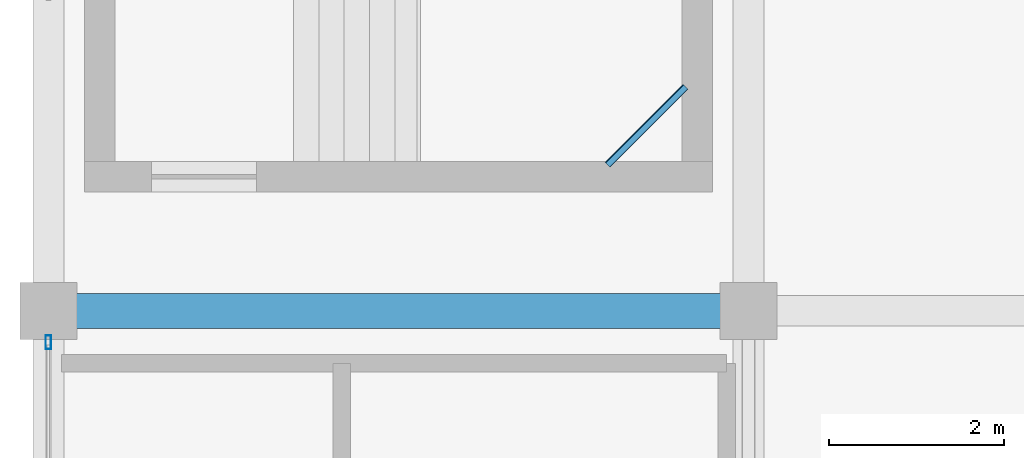
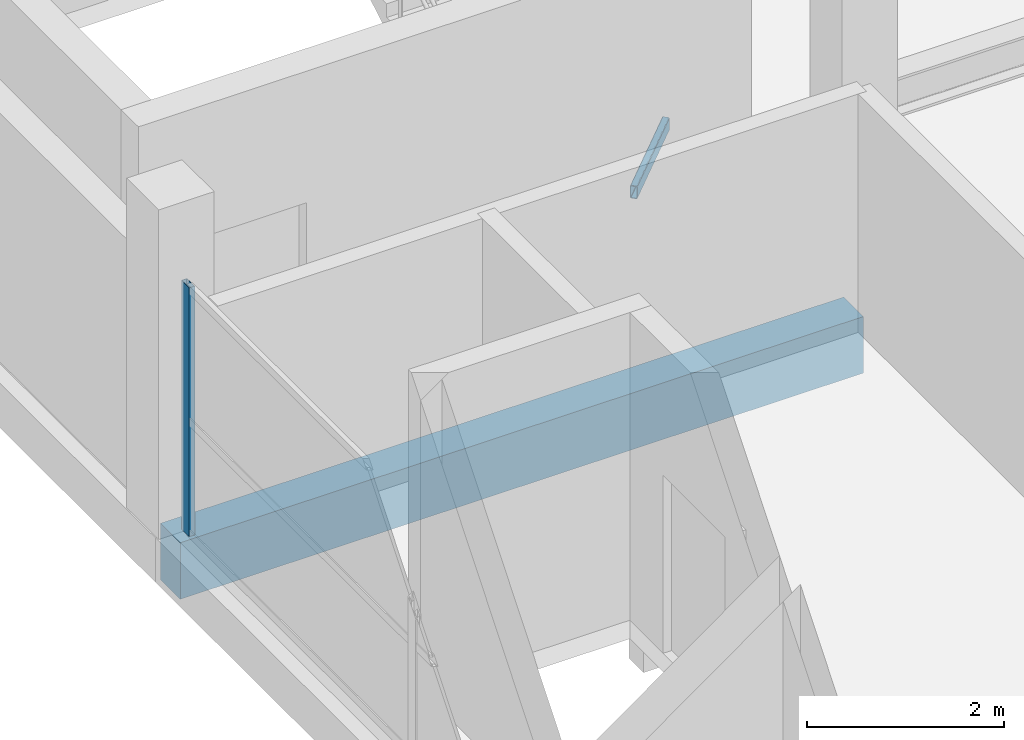
# One storey, part 31 of 70: 2 beams, 1 member, 1 element without a shape of its own.
"""IFC4 building model written with IfcOpenShell, lengths in metres."""

from ifc_helpers import new_model, si_unit, direction, frame, origin, origin_2d, place, context, subcontext, project, spatial, rectangle, hollow_rectangle, extrude, material, layer, layer_set, material_profile, profile_set, type_object, element, aggregate, save


model = new_model("IFC4")

# Units and contexts
model_context = context("Model", 3, precision=1e-05, world=origin(), true_north=direction((0.0, 1.0)))
body_context = subcontext(model_context, "Body", "Model", "MODEL_VIEW")
ifc_project = project(units=[si_unit("LENGTHUNIT", "METRE"), si_unit("AREAUNIT", "SQUARE_METRE"), si_unit("VOLUMEUNIT", "CUBIC_METRE"), si_unit("PLANEANGLEUNIT", "RADIAN"), si_unit("MASSUNIT", "GRAM", prefix="KILO")], contexts=[model_context])

# Site, building, storey
site_placement = place(None, origin())
site = spatial("IfcSite", under=ifc_project, at=site_placement, CompositionType="ELEMENT")
building_placement = place(site_placement, origin())
building = spatial("IfcBuilding", under=site, at=building_placement, Name="Sillaruma Civic Art Gallery", CompositionType="ELEMENT")
storey_placement = place(building_placement, frame((0.0, 0.0, 66.300048828125)))
storey = spatial("IfcBuildingStorey", under=building, at=storey_placement, Name="L13", CompositionType="ELEMENT", Elevation=66.300048828125)

# Beams
ifc_material_1 = material(Name="Concrete H35 (35 MPa)", Category="concrete")
ifc_material_profile_1 = material_profile(ifc_material_1, rectangle(XDim=0.39990234375, YDim=0.699951171875, at=origin_2d()), Name="RCB400x700")
ifc_profile_set_1 = profile_set([ifc_material_profile_1], Name="Concrete H35 (35 MPa)")
beam_type_1 = type_object("IfcBeamType", Name="BM-BEAM-RCB400x700", PredefinedType="BEAM", material=ifc_profile_set_1)
beam_1_placement = place(storey_placement, frame((62.0, 79.199951171875, -0.580078125), z_axis=(1.0, 0.0, 0.0), x_axis=(0.0, 1.0, 0.0)))
element("IfcBeam", 1, at=beam_1_placement, inside=storey, type_object=beam_type_1, Name="Beam BM-04 (L12:9:F-G)", PredefinedType="BEAM", context=body_context, shape_type="SweptSolid", body=[
    extrude(rectangle(XDim=0.39990234375, YDim=0.699951171875, at=origin_2d()), origin(), (0.0, 0.0, 1.0), 8.0),
])
ifc_material_2 = material(Name="Structural Steel ASTM A500 Gr.C", Category="steel")
ifc_material_profile_2 = material_profile(ifc_material_2, hollow_rectangle(XDim=0.080078125, YDim=0.159912109375, WallThickness=0.008056640625, InnerFilletRadius=0.008056640625, OuterFilletRadius=0.01611328125, at=origin_2d()), Name="HSS160x80x8")
ifc_profile_set_2 = profile_set([ifc_material_profile_2], Name="Structural Steel ASTM A500 Gr.C")
beam_type_2 = type_object("IfcBeamType", Name="BM-LND-HSS160", PredefinedType="BEAM", material=ifc_profile_set_2)
beam_2_placement = place(storey_placement, frame((68.389892578125, 80.8701171875, 0.739990234375), z_axis=(0.707203758046, 0.707009791025, 0.0), x_axis=(-0.707009791025, 0.707203758046, 0.0)))
element("IfcBeam", 2, at=beam_2_placement, inside=storey, type_object=beam_type_2, Name="Stair Corner Landing Trimmer Beam (ST-02-L13-1)", PredefinedType="BEAM", context=body_context, shape_type="SweptSolid", body=[
    extrude(hollow_rectangle(XDim=0.080078125, YDim=0.159912109375, WallThickness=0.008056640625, InnerFilletRadius=0.008056640625, OuterFilletRadius=0.01611328125, at=origin_2d()), origin(), (0.0, 0.0, 1.0), 1.2587890625),
])

# Curtain wall, member
ifc_material_3 = material(Name="Thermally Broken Extruded Aluminium 6063-T6", Category="aluminium")
ifc_layer = layer(ifc_material_3, 0.159912109375, Name="Thermally Broken Extruded Aluminium 6063-T6")
ifc_layer_set = layer_set([ifc_layer], Name="Thermally Broken Extruded Aluminium 6063-T6")
curtain_wall_type = type_object("IfcCurtainWallType", Name="CW-UNI-94", PredefinedType="NOTDEFINED", material=ifc_layer_set)
curtain_wall_placement = place(storey_placement, origin())
curtain_wall = element("IfcCurtainWall", 3, at=curtain_wall_placement, inside=storey, type_object=curtain_wall_type, Name="Unitised Curtain Wall CW-94 (CW-L13-WBW-6)", PredefinedType="NOTDEFINED")
ifc_material_profile_3 = material_profile(ifc_material_3, hollow_rectangle(XDim=0.06494140625, YDim=0.159912109375, WallThickness=0.00390625, at=origin_2d()), Name="CWM65x160")
ifc_profile_set_3 = profile_set([ifc_material_profile_3], Name="Thermally Broken Extruded Aluminium 6063-T6")
member_type = type_object("IfcMemberType", Name="MEM-MUL-CWM65x160", PredefinedType="MULLION", material=ifc_profile_set_3)
member_placement = place(storey_placement, frame((62.0, 78.842529296875, 0.0), z_axis=(0.0, 0.0, 1.0), x_axis=(-1.0, 0.0, 0.0)))
member = element("IfcMember", 4, at=member_placement, type_object=member_type, Name="CW-94 mullion 3", PredefinedType="MULLION", context=body_context, shape_type="SweptSolid", body=[
    extrude(hollow_rectangle(XDim=0.06494140625, YDim=0.159912109375, WallThickness=0.00390625, at=origin_2d()), origin(), (0.0, 0.0, 1.0), 3.079833984375),
])
aggregate(curtain_wall, [member])

save(model, "model.ifc")
